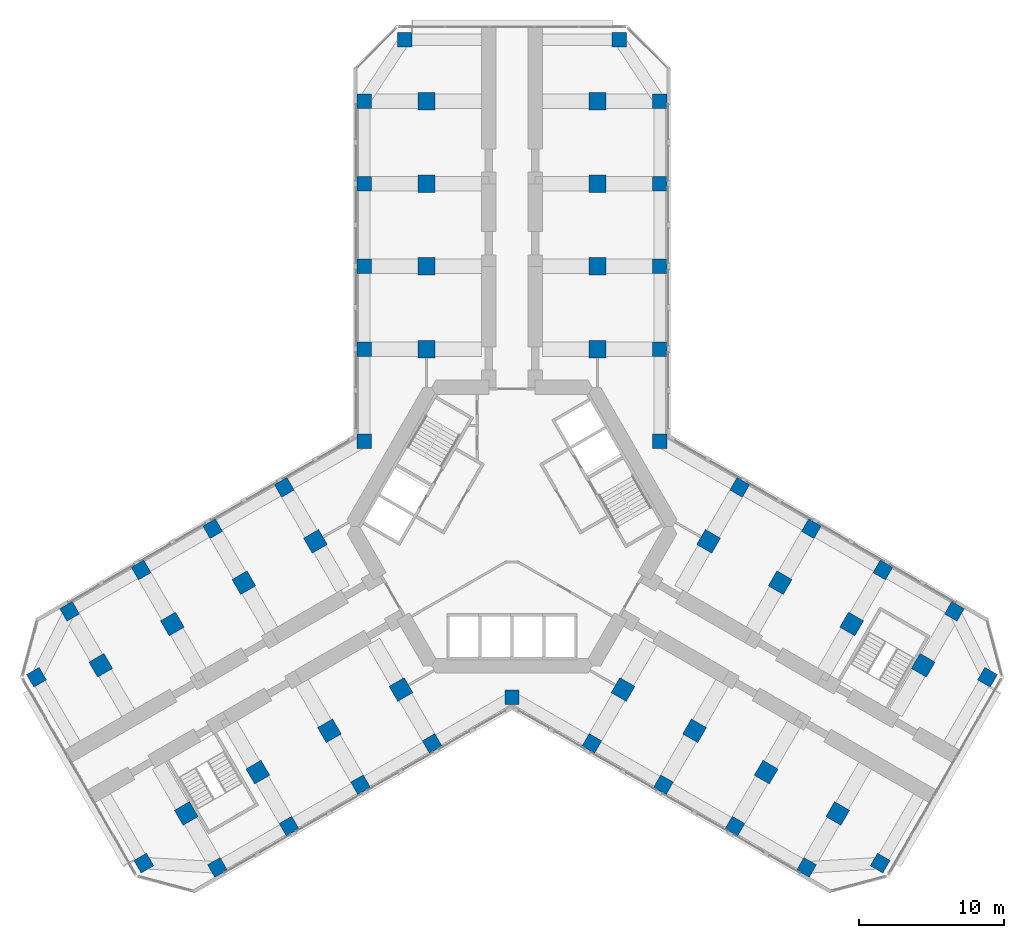
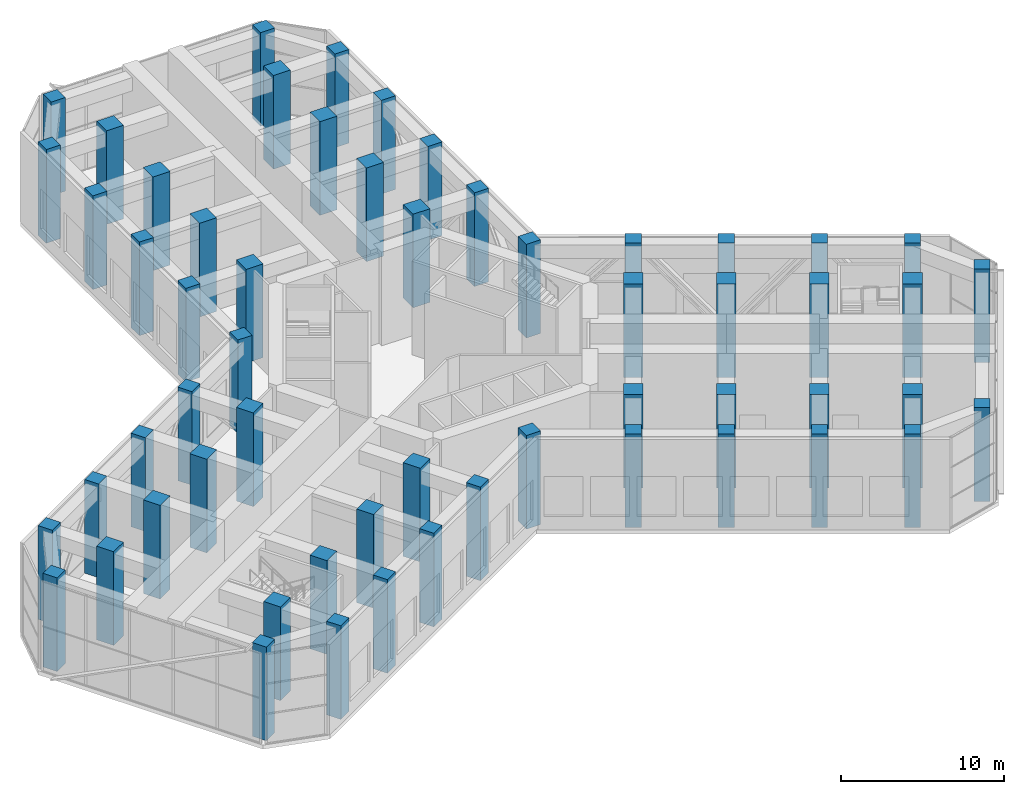
# One storey, part 1 of 17: 57 columns.
"""IFC4 building model written with IfcOpenShell, lengths in metres."""

from ifc_helpers import new_model, si_unit, direction, frame, origin, origin_2d, place, context, subcontext, project, spatial, rectangle, extrude, material, material_profile, profile_set, type_object, element, save


model = new_model("IFC4")

# Units and contexts
model_context = context("Model", 3, precision=1e-05, world=origin(), true_north=direction((0.0, 1.0)))
body_context = subcontext(model_context, "Body", "Model", "MODEL_VIEW")
ifc_project = project(units=[si_unit("LENGTHUNIT", "METRE"), si_unit("AREAUNIT", "SQUARE_METRE"), si_unit("VOLUMEUNIT", "CUBIC_METRE"), si_unit("PLANEANGLEUNIT", "RADIAN"), si_unit("MASSUNIT", "GRAM", prefix="KILO")], contexts=[model_context])

# Site, building, storey
site_placement = place(None, origin())
site = spatial("IfcSite", under=ifc_project, at=site_placement, CompositionType="ELEMENT")
building_placement = place(site_placement, origin())
building = spatial("IfcBuilding", under=site, at=building_placement, Name="Kosmar Iwan School Tower", CompositionType="ELEMENT")
storey_placement = place(building_placement, frame((0.0, 0.0, 113.199951171875)))
storey = spatial("IfcBuildingStorey", under=building, at=storey_placement, Name="L28", CompositionType="ELEMENT", Elevation=113.199951171875)

# Columns
ifc_material_1 = material(Name="Concrete C50/60", Category="concrete")
ifc_material_profile_1 = material_profile(ifc_material_1, rectangle(XDim=1.0, YDim=1.0, at=origin_2d()), Name="RC 1000x1000 + HD 400x634")
ifc_profile_set_1 = profile_set([ifc_material_profile_1], Name="Concrete C50/60")
column_type_1 = type_object("IfcColumnType", Name="Composite column 1000x1000 HD 400x634", PredefinedType="COLUMN", material=ifc_profile_set_1)
for number, where, z_axis, x_axis, name in (
    (1, (-10.199951171875, 12.25, 0.0), (0.0, 0.0, 1.0), (0.0, 1.0, 0.0), "Column AL1 L28"),
    (2, (-10.199951171875, 17.949951171875, 0.0), (0.0, 0.0, 1.0), (0.0, 1.0, 0.0), "Column AL2 L28"),
    (3, (-10.199951171875, 23.64990234375, 0.0), (0.0, 0.0, 1.0), (0.0, 1.0, 0.0), "Column AL3 L28"),
    (4, (-10.199951171875, 29.35009765625, 0.0), (0.0, 0.0, 1.0), (0.0, 1.0, 0.0), "Column AL4 L28"),
    (5, (-7.39990234375, 33.60009765625, 0.0), (0.0, 0.0, 1.0), (0.0, 1.0, 0.0), "Column ALTIP L28"),
    (6, (10.199951171875, 12.25, 0.0), (0.0, 0.0, 1.0), (0.0, 1.0, 0.0), "Column AR1 L28"),
    (7, (10.199951171875, 17.949951171875, 0.0), (0.0, 0.0, 1.0), (0.0, 1.0, 0.0), "Column AR2 L28"),
    (8, (10.199951171875, 23.64990234375, 0.0), (0.0, 0.0, 1.0), (0.0, 1.0, 0.0), "Column AR3 L28"),
    (9, (10.199951171875, 29.35009765625, 0.0), (0.0, 0.0, 1.0), (0.0, 1.0, 0.0), "Column AR4 L28"),
    (10, (7.39990234375, 33.60009765625, 0.0), (0.0, 0.0, 1.0), (0.0, 1.0, 0.0), "Column ARTIP L28"),
    (11, (-5.5087890625, -14.95849609375, 0.0), (0.0, 0.0, 1.0), (-0.866025403784, -0.5, 0.0), "Column BL1 L28"),
    (12, (-10.445068359375, -17.808349609375, 0.0), (0.0, 0.0, 1.0), (-0.866025403784, -0.5, 0.0), "Column BL2 L28"),
    (13, (-15.381591796875, -20.658447265625, 0.0), (0.0, 0.0, 1.0), (-0.866025403784, -0.5, 0.0), "Column BL3 L28"),
    (14, (-20.31787109375, -23.508544921875, 0.0), (0.0, 0.0, 1.0), (-0.866025403784, -0.5, 0.0), "Column BL4 L28"),
    (15, (-25.3984375, -23.20849609375, 0.0), (0.0, 0.0, 1.0), (-0.866025403784, -0.5, 0.0), "Column BLTIP L28"),
    (16, (-15.708740234375, 2.70849609375, 0.0), (0.0, 0.0, 1.0), (-0.866025403784, -0.5, 0.0), "Column BR1 L28"),
    (17, (-20.645263671875, -0.1416015625, 0.0), (0.0, 0.0, 1.0), (-0.866025403784, -0.5, 0.0), "Column BR2 L28"),
    (18, (-25.58154296875, -2.991455078125, 0.0), (0.0, 0.0, 1.0), (-0.866025403784, -0.5, 0.0), "Column BR3 L28"),
    (19, (-30.517822265625, -5.841552734375, 0.0), (0.0, 0.0, 1.0), (-0.866025403784, -0.5, 0.0), "Column BR4 L28"),
    (20, (-32.79833984375, -10.391357421875, 0.0), (0.0, 0.0, 1.0), (-0.866025403784, -0.5, 0.0), "Column BRTIP L28"),
    (21, (15.708740234375, 2.70849609375, 0.0), (0.0, 0.0, 1.0), (0.866025403784, -0.5, 0.0), "Column CL1 L28"),
    (22, (20.645263671875, -0.1416015625, 0.0), (0.0, 0.0, 1.0), (0.866025403784, -0.5, 0.0), "Column CL2 L28"),
    (23, (25.58154296875, -2.991455078125, 0.0), (0.0, 0.0, 1.0), (0.866025403784, -0.5, 0.0), "Column CL3 L28"),
    (24, (30.517822265625, -5.841552734375, 0.0), (0.0, 0.0, 1.0), (0.866025403784, -0.5, 0.0), "Column CL4 L28"),
    (25, (32.79833984375, -10.391357421875, 0.0), (0.0, 0.0, 1.0), (0.866025403784, -0.5, 0.0), "Column CLTIP L28"),
    (26, (5.5087890625, -14.95849609375, 0.0), (0.0, 0.0, 1.0), (0.866025403784, -0.5, 0.0), "Column CR1 L28"),
    (27, (10.445068359375, -17.808349609375, 0.0), (0.0, 0.0, 1.0), (0.866025403784, -0.5, 0.0), "Column CR2 L28"),
    (28, (15.381591796875, -20.658447265625, 0.0), (0.0, 0.0, 1.0), (0.866025403784, -0.5, 0.0), "Column CR3 L28"),
    (29, (20.31787109375, -23.508544921875, 0.0), (0.0, 0.0, 1.0), (0.866025403784, -0.5, 0.0), "Column CR4 L28"),
    (30, (25.3984375, -23.20849609375, 0.0), (0.0, 0.0, 1.0), (0.866025403784, -0.5, 0.0), "Column CRTIP L28"),
    (31, (-10.199951171875, 5.888916015625, 0.0), (0.0, 0.0, 1.0), (1.0, 0.0, 0.0), "Column RAB L28"),
    (32, (10.199951171875, 5.888916015625, 0.0), (0.0, 0.0, 1.0), (1.0, 0.0, 0.0), "Column RAC L28"),
    (33, (0.0, -11.77783203125, 0.0), (0.0, 0.0, 1.0), (1.0, 0.0, 0.0), "Column RBC L28"),
):
    element("IfcColumn", number, at=place(storey_placement, frame(where, z_axis=z_axis, x_axis=x_axis)), inside=storey, type_object=column_type_1, Name=name, PredefinedType="COLUMN", context=body_context, shape_type="SweptSolid", body=[
        extrude(rectangle(XDim=1.0, YDim=1.0, at=origin_2d()), origin(), (0.0, 0.0, 1.0), 7.0),
    ])
ifc_material_2 = material(Name="Concrete C50/60", Category="concrete")
ifc_material_profile_2 = material_profile(ifc_material_2, rectangle(XDim=1.199951171875, YDim=1.199951171875, at=origin_2d()), Name="RC 1200x1200")
ifc_profile_set_2 = profile_set([ifc_material_profile_2], Name="Concrete C50/60")
column_type_2 = type_object("IfcColumnType", Name="RC interior column 1200x1200", PredefinedType="COLUMN", material=ifc_profile_set_2)
for number, where, z_axis, x_axis, name in (
    (34, (-5.89990234375, 12.25, 0.0), (0.0, 0.0, 1.0), (0.0, 1.0, 0.0), "Interior column ALI1 L28"),
    (35, (-5.89990234375, 17.949951171875, 0.0), (0.0, 0.0, 1.0), (0.0, 1.0, 0.0), "Interior column ALI2 L28"),
    (36, (-5.89990234375, 23.64990234375, 0.0), (0.0, 0.0, 1.0), (0.0, 1.0, 0.0), "Interior column ALI3 L28"),
    (37, (-5.89990234375, 29.35009765625, 0.0), (0.0, 0.0, 1.0), (0.0, 1.0, 0.0), "Interior column ALI4 L28"),
    (38, (5.89990234375, 12.25, 0.0), (0.0, 0.0, 1.0), (0.0, 1.0, 0.0), "Interior column ARI1 L28"),
    (39, (5.89990234375, 17.949951171875, 0.0), (0.0, 0.0, 1.0), (0.0, 1.0, 0.0), "Interior column ARI2 L28"),
    (40, (5.89990234375, 23.64990234375, 0.0), (0.0, 0.0, 1.0), (0.0, 1.0, 0.0), "Interior column ARI3 L28"),
    (41, (5.89990234375, 29.35009765625, 0.0), (0.0, 0.0, 1.0), (0.0, 1.0, 0.0), "Interior column ARI4 L28"),
    (42, (-7.65869140625, -11.234619140625, 0.0), (0.0, 0.0, 1.0), (-0.866025403784, -0.5, 0.0), "Interior column BLI1 L28"),
    (43, (-12.59521484375, -14.08447265625, 0.0), (0.0, 0.0, 1.0), (-0.866025403784, -0.5, 0.0), "Interior column BLI2 L28"),
    (44, (-17.531494140625, -16.9345703125, 0.0), (0.0, 0.0, 1.0), (-0.866025403784, -0.5, 0.0), "Interior column BLI3 L28"),
    (45, (-22.4677734375, -19.78466796875, 0.0), (0.0, 0.0, 1.0), (-0.866025403784, -0.5, 0.0), "Interior column BLI4 L28"),
    (46, (-13.558837890625, -1.015380859375, 0.0), (0.0, 0.0, 1.0), (-0.866025403784, -0.5, 0.0), "Interior column BRI1 L28"),
    (47, (-18.4951171875, -3.865478515625, 0.0), (0.0, 0.0, 1.0), (-0.866025403784, -0.5, 0.0), "Interior column BRI2 L28"),
    (48, (-23.431396484375, -6.71533203125, 0.0), (0.0, 0.0, 1.0), (-0.866025403784, -0.5, 0.0), "Interior column BRI3 L28"),
    (49, (-28.367919921875, -9.5654296875, 0.0), (0.0, 0.0, 1.0), (-0.866025403784, -0.5, 0.0), "Interior column BRI4 L28"),
    (50, (13.558837890625, -1.015380859375, 0.0), (0.0, 0.0, 1.0), (0.866025403784, -0.5, 0.0), "Interior column CLI1 L28"),
    (51, (18.4951171875, -3.865478515625, 0.0), (0.0, 0.0, 1.0), (0.866025403784, -0.5, 0.0), "Interior column CLI2 L28"),
    (52, (23.431396484375, -6.71533203125, 0.0), (0.0, 0.0, 1.0), (0.866025403784, -0.5, 0.0), "Interior column CLI3 L28"),
    (53, (28.367919921875, -9.5654296875, 0.0), (0.0, 0.0, 1.0), (0.866025403784, -0.5, 0.0), "Interior column CLI4 L28"),
    (54, (7.65869140625, -11.234619140625, 0.0), (0.0, 0.0, 1.0), (0.866025403784, -0.5, 0.0), "Interior column CRI1 L28"),
    (55, (12.59521484375, -14.08447265625, 0.0), (0.0, 0.0, 1.0), (0.866025403784, -0.5, 0.0), "Interior column CRI2 L28"),
    (56, (17.531494140625, -16.9345703125, 0.0), (0.0, 0.0, 1.0), (0.866025403784, -0.5, 0.0), "Interior column CRI3 L28"),
    (57, (22.4677734375, -19.78466796875, 0.0), (0.0, 0.0, 1.0), (0.866025403784, -0.5, 0.0), "Interior column CRI4 L28"),
):
    element("IfcColumn", number, at=place(storey_placement, frame(where, z_axis=z_axis, x_axis=x_axis)), inside=storey, type_object=column_type_2, Name=name, PredefinedType="COLUMN", context=body_context, shape_type="SweptSolid", body=[
        extrude(rectangle(XDim=1.199951171875, YDim=1.199951171875, at=origin_2d()), origin(), (0.0, 0.0, 1.0), 7.0),
    ])

save(model, "model.ifc")
